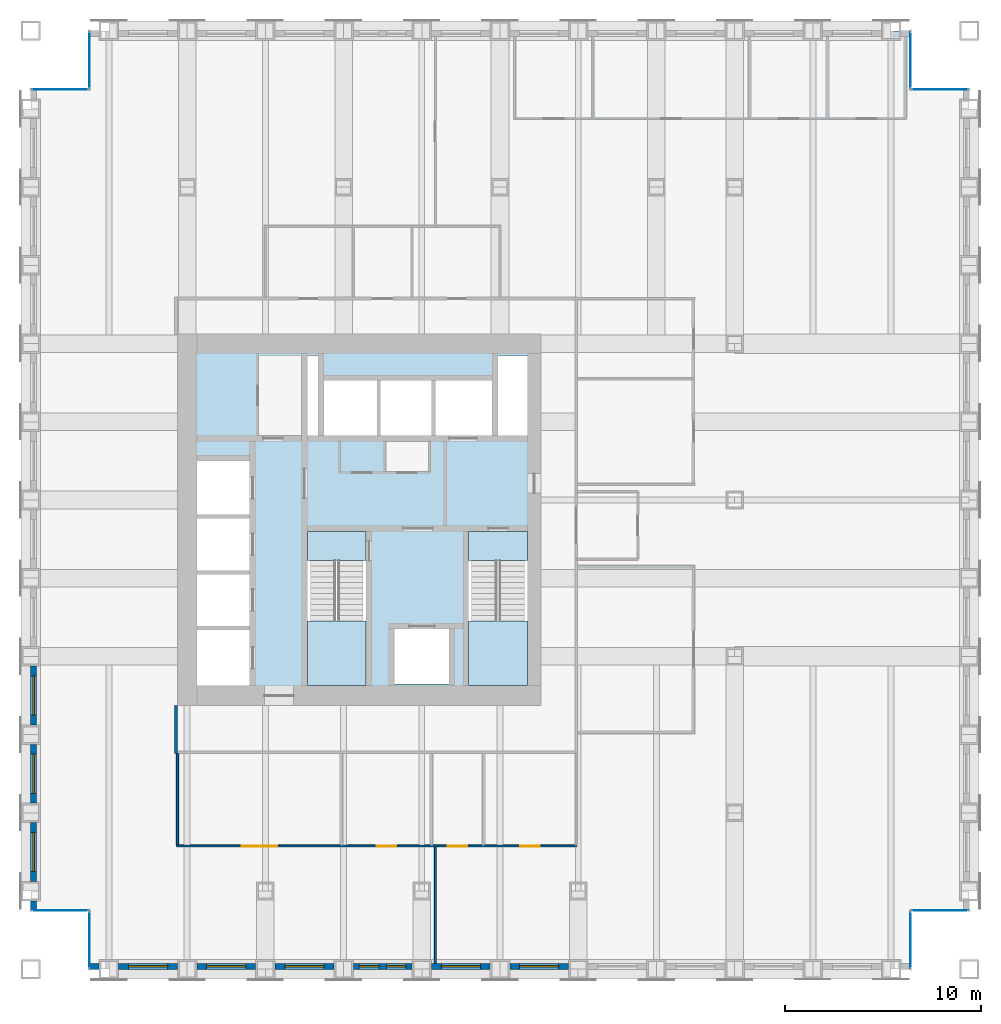
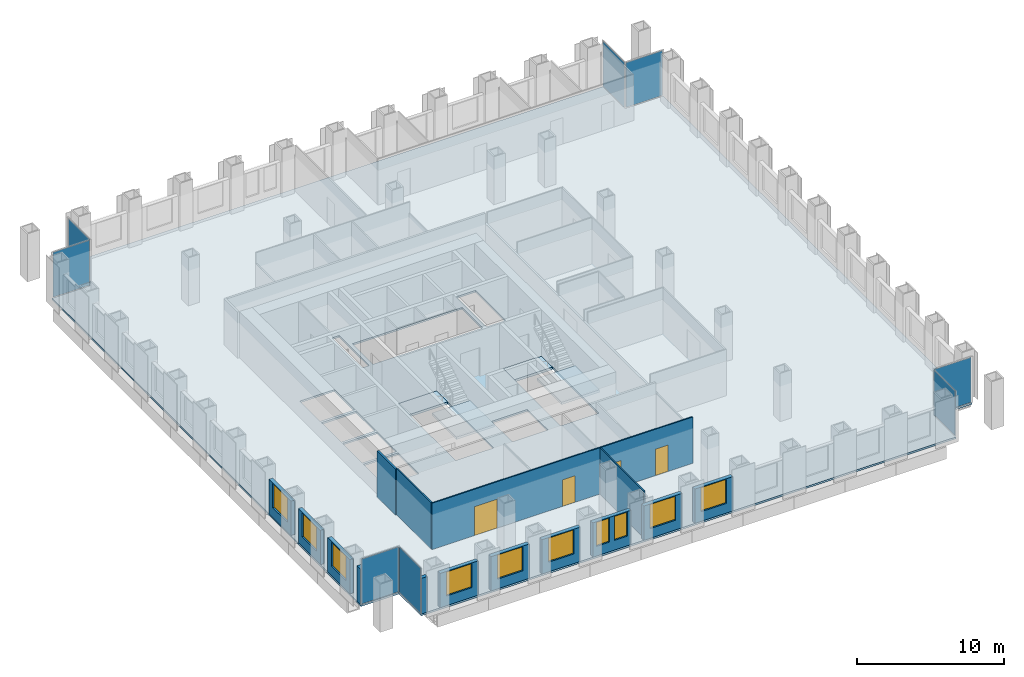
# One storey, part 10 of 15: 15 walls, 10 windows, 8 plates, 5 slabs, 4 doors, 14 openings, 10 elements without a shape of their own.
"""IFC4 building model written with IfcOpenShell, lengths in metres."""

import ifcopenshell
import ifcopenshell.guid

model = None  # the IFC model being written
_history = None  # IfcOwnerHistory: only IFC2X3 demands one
_inside = {}  # id of a spatial element -> (the spatial element, [elements in it])
_under = {}  # id of a project, library or spatial element -> (it, [spatial elements below it])
_declared = {}  # id of a project -> (the project, [libraries it declares])
_typed = {}  # id of a type object -> (the type object, [elements of that type])
_made_of = {}  # id of a material, layer set ... -> (it, [elements and type objects made of it])


def new_model(schema):
    """Start an empty IFC model of exactly this schema.

    Asked for "IFC4X3", IfcOpenShell would pick the latest addendum, in which some entities
    have other attributes; the version numbers below select the first issue.
    IFC2X3 requires an IfcOwnerHistory on every rooted entity: one is made here for all.
    """
    global model, _history
    if schema == "IFC4X3":
        model = ifcopenshell.file(schema_version=(4, 3, 0, 0))
    else:
        model = ifcopenshell.file(schema=schema)
    _inside.clear()
    _under.clear()
    _declared.clear()
    _typed.clear()
    _made_of.clear()
    _history = None
    if model.schema == "IFC2X3":
        org = make("IfcOrganization", Name="unknown")
        user = make(
            "IfcPersonAndOrganization",
            ThePerson=make("IfcPerson", FamilyName="unknown"),
            TheOrganization=org,
        )
        app = make(
            "IfcApplication",
            ApplicationDeveloper=org,
            Version="unknown",
            ApplicationFullName="unknown",
            ApplicationIdentifier="unknown",
        )
        _history = make(
            "IfcOwnerHistory",
            OwningUser=user,
            OwningApplication=app,
            ChangeAction="ADDED",
            CreationDate=0,
        )
    return model


def make(cls, **values):
    """One entity of the class cls with the attributes given. An attribute that is None is left unset."""
    return model.create_entity(
        cls, **{name: value for name, value in values.items() if value is not None}
    )


def rooted(cls, **values):
    """An entity with a GlobalId (a new one), such as an element, a storey or a relation."""
    return make(cls, GlobalId=ifcopenshell.guid.new(), OwnerHistory=_history, **values)


def si_unit(unit_type, name, prefix=None):
    """IfcSIUnit, for example si_unit("LENGTHUNIT", "METRE", prefix="MILLI")."""
    return make("IfcSIUnit", UnitType=unit_type, Prefix=prefix, Name=name)


def assignment(units):
    """IfcUnitAssignment: the units of a project."""
    return None if units is None else make("IfcUnitAssignment", Units=units)


def point(xyz):
    """IfcCartesianPoint."""
    return None if xyz is None else make("IfcCartesianPoint", Coordinates=xyz)


def direction(xyz):
    """IfcDirection."""
    return None if xyz is None else make("IfcDirection", DirectionRatios=xyz)


def frame(location, z_axis=None, x_axis=None):
    """IfcAxis2Placement3D, a coordinate frame: its origin and axes. An axis left out is left unset."""
    return make(
        "IfcAxis2Placement3D",
        Location=point(location),
        Axis=direction(z_axis),
        RefDirection=direction(x_axis),
    )


def frame_2d(location, x_axis=None):
    """IfcAxis2Placement2D, a coordinate frame in the plane: its origin and x axis."""
    return make(
        "IfcAxis2Placement2D", Location=point(location), RefDirection=direction(x_axis)
    )


def origin():
    """The frame at (0, 0, 0) with its axes left unset."""
    return frame((0.0, 0.0, 0.0))


def origin_2d():
    """The frame at (0, 0) in the plane with its x axis left unset."""
    return frame_2d((0.0, 0.0))


def place(relative_to, where):
    """IfcLocalPlacement: puts the frame where relative to a parent placement (None: the world)."""
    return make(
        "IfcLocalPlacement", PlacementRelTo=relative_to, RelativePlacement=where
    )


def context(
    kind, dimensions, precision=None, world=None, true_north=None, identifier=None
):
    """IfcGeometricRepresentationContext, for example the 3D "Model" context."""
    return make(
        "IfcGeometricRepresentationContext",
        ContextIdentifier=identifier,
        ContextType=kind,
        CoordinateSpaceDimension=dimensions,
        Precision=precision,
        WorldCoordinateSystem=world,
        TrueNorth=true_north,
    )


def subcontext(parent, identifier, kind, view, scale=None):
    """IfcGeometricRepresentationSubContext, for example "Body" below "Model"."""
    return make(
        "IfcGeometricRepresentationSubContext",
        ContextIdentifier=identifier,
        ContextType=kind,
        ParentContext=parent,
        TargetScale=scale,
        TargetView=view,
    )


def project(units=None, contexts=None):
    """IfcProject with its units and contexts."""
    return rooted(
        "IfcProject",
        Name="project",
        RepresentationContexts=contexts,
        UnitsInContext=assignment(units),
    )


def spatial(cls, under=None, at=None, **own):
    """A site, building, storey or space (cls), placed at a placement, below another one or the project."""
    s = rooted(cls, ObjectPlacement=at, **own)
    if under is not None:
        _under.setdefault(under.id(), (under, []))[1].append(s)
    return s


def polyline(points):
    """IfcPolyline through the points."""
    return make("IfcPolyline", Points=[point(p) for p in points])


def profile(cls, at=None, kind="AREA", **sizes):
    """A parametric profile (cls). Its sizes go by their IFC names, for example OverallWidth=200.0."""
    return make(cls, ProfileType=kind, Position=at, **sizes)


def rectangle(**sizes):
    """IfcRectangleProfileDef."""
    return profile("IfcRectangleProfileDef", **sizes)


def outline(outer, holes=None, kind="AREA"):
    """IfcArbitraryClosedProfileDef: a profile drawn as a closed curve; with holes, ...WithVoids."""
    if holes is None:
        return make("IfcArbitraryClosedProfileDef", ProfileType=kind, OuterCurve=outer)
    return make(
        "IfcArbitraryProfileDefWithVoids",
        ProfileType=kind,
        OuterCurve=outer,
        InnerCurves=holes,
    )


def extrude(swept, where, along, depth):
    """IfcExtrudedAreaSolid: the profile swept, set in the frame where, extruded along a direction by depth."""
    return make(
        "IfcExtrudedAreaSolid",
        SweptArea=swept,
        Position=where,
        ExtrudedDirection=direction(along),
        Depth=depth,
    )


def shape(context_of_items, identifier, shape_type, items):
    """IfcShapeRepresentation: the items that make up one representation, for example the "Body"."""
    return make(
        "IfcShapeRepresentation",
        ContextOfItems=context_of_items,
        RepresentationIdentifier=identifier,
        RepresentationType=shape_type,
        Items=items,
    )


def material(Name=None, Category=None):
    """IfcMaterial."""
    return make("IfcMaterial", Name=Name, Category=Category)


def layer(
    of_material, thickness, ventilated=None, Name=None, Category=None, Priority=None
):
    """IfcMaterialLayer: one layer of a wall or slab, of a material (None: an air gap)."""
    return make(
        "IfcMaterialLayer",
        Material=of_material,
        LayerThickness=thickness,
        IsVentilated=ventilated,
        Name=Name,
        Category=Category,
        Priority=Priority,
    )


def layer_set(layers, Name=None):
    """IfcMaterialLayerSet."""
    return make("IfcMaterialLayerSet", MaterialLayers=layers, LayerSetName=Name)


def made_of(thing, what):
    """Note that an element or type object is made of a material, layer set ...; save() writes the relation."""
    if what is not None:
        _made_of.setdefault(what.id(), (what, []))[1].append(thing)
    return thing


def type_object(cls, material=None, **own):
    """A type object (cls), such as IfcWallType, which elements share."""
    return made_of(rooted(cls, **own), material)


def element(
    cls,
    number,
    at=None,
    inside=None,
    cuts=None,
    type_object=None,
    material=None,
    context=None,
    identifier="Body",
    shape_type=None,
    held_by="IfcProductDefinitionShape",
    body=None,
    shapes=None,
    **own,
):
    """One element of the class cls, such as IfcWall. Its Tag is "e" and its number.

    at: its placement. inside: the storey or other place that contains it. cuts: it is an
    opening in that element (IfcRelVoidsElement). A single representation is given by context,
    identifier, shape_type and body (its items); several are given by shapes. held_by: the class
    of the entity that holds the representations. save() writes the other relations.
    """
    e = rooted(cls, Tag="e%d" % number, ObjectPlacement=at, **own)
    if body is not None:
        shapes = [shape(context, identifier, shape_type, body)]
    if shapes is not None:
        e.Representation = make(held_by, Representations=shapes)
    if inside is not None:
        _inside.setdefault(inside.id(), (inside, []))[1].append(e)
    if cuts is not None:
        rooted(
            "IfcRelVoidsElement", RelatingBuildingElement=cuts, RelatedOpeningElement=e
        )
    if type_object is not None:
        _typed.setdefault(type_object.id(), (type_object, []))[1].append(e)
    return made_of(e, material)


def fill(opening, filler):
    """IfcRelFillsElement: the door or window that sits in an opening."""
    return rooted(
        "IfcRelFillsElement",
        RelatingOpeningElement=opening,
        RelatedBuildingElement=filler,
    )


def aggregate(whole, parts):
    """IfcRelAggregates: a whole, such as a stair, and the parts it consists of."""
    return rooted("IfcRelAggregates", RelatingObject=whole, RelatedObjects=parts)


def save(model, path):
    """Write the relations noted so far, then the file.

    IfcRelAggregates (storeys below a building ...), IfcRelContainedInSpatialStructure (elements
    in a storey), IfcRelDefinesByType, IfcRelAssociatesMaterial and IfcRelDeclares: one each for
    every whole, place, type object, material and project.
    """
    for whole, parts in _under.values():
        aggregate(whole, parts)
    for where, things in _inside.values():
        rooted(
            "IfcRelContainedInSpatialStructure",
            RelatedElements=things,
            RelatingStructure=where,
        )
    for kind, things in _typed.values():
        rooted("IfcRelDefinesByType", RelatedObjects=things, RelatingType=kind)
    for what, things in _made_of.values():
        rooted("IfcRelAssociatesMaterial", RelatedObjects=things, RelatingMaterial=what)
    for by, libraries in _declared.values():
        rooted("IfcRelDeclares", RelatingContext=by, RelatedDefinitions=libraries)
    model.write(path)


model = new_model("IFC4")

# Units and contexts
model_context = context("Model", 3, precision=1e-05, world=origin(), true_north=direction((0.0, 1.0)))
body_context = subcontext(model_context, "Body", "Model", "MODEL_VIEW")
ifc_project = project(units=[si_unit("LENGTHUNIT", "METRE"), si_unit("AREAUNIT", "SQUARE_METRE"), si_unit("VOLUMEUNIT", "CUBIC_METRE"), si_unit("PLANEANGLEUNIT", "RADIAN"), si_unit("MASSUNIT", "GRAM", prefix="KILO")], contexts=[model_context])

# Site, building, storey
site_placement = place(None, origin())
site = spatial("IfcSite", under=ifc_project, at=site_placement, CompositionType="ELEMENT")
building_placement = place(site_placement, origin())
building = spatial("IfcBuilding", under=site, at=building_placement, Name="Rimbunsela Tower", CompositionType="ELEMENT")
storey_placement = place(building_placement, frame((0.0, 0.0, 117.39990234375)))
storey = spatial("IfcBuildingStorey", under=building, at=storey_placement, Name="L28", CompositionType="ELEMENT", Elevation=117.39990234375)

# Slab
ifc_material_1 = material(Name="Concrete fc' 35 MPa", Category="concrete")
ifc_layer_1 = layer(ifc_material_1, 0.14990234375)
ifc_layer_set_1 = layer_set([ifc_layer_1], Name="Floor slab 150")
slab_type_1 = type_object("IfcSlabType", Name="Floor slab 150", PredefinedType="FLOOR", material=ifc_layer_set_1)
slab_1_placement = place(storey_placement, frame((0.0, 0.0, -0.14990234375)))
element("IfcSlab", 1, at=slab_1_placement, inside=storey, type_object=slab_type_1, Name="Floor slab L28", PredefinedType="FLOOR", context=body_context, shape_type="SweptSolid", body=[
    extrude(outline(polyline([(13.0, 4.0), (55.0, 4.0), (55.0, 7.0), (58.0, 7.0), (58.0, 49.0), (55.0, 49.0), (55.0, 52.0), (13.0, 52.0), (13.0, 49.0), (10.0, 49.0), (10.0, 7.0), (13.0, 7.0), (13.0, 4.0)]), holes=[polyline([(21.199951171875, 21.35009765625), (18.5, 21.35009765625), (18.5, 18.5), (21.199951171875, 18.5), (21.199951171875, 21.35009765625)]), polyline([(21.199951171875, 21.550048828125), (21.199951171875, 24.199951171875), (18.5, 24.199951171875), (18.5, 21.550048828125), (21.199951171875, 21.550048828125)]), polyline([(21.199951171875, 27.050048828125), (18.5, 27.050048828125), (18.5, 24.39990234375), (21.199951171875, 24.39990234375), (21.199951171875, 27.050048828125)]), polyline([(21.199951171875, 27.25), (21.199951171875, 30.0), (18.5, 30.0), (18.5, 27.25), (21.199951171875, 27.25)]), polyline([(27.14990234375, 18.60009765625), (27.14990234375, 26.39990234375), (24.14990234375, 26.39990234375), (24.14990234375, 18.60009765625), (27.14990234375, 18.60009765625)]), polyline([(24.699951171875, 31.300048828125), (24.699951171875, 35.39990234375), (24.14990234375, 35.39990234375), (24.14990234375, 31.300048828125), (24.699951171875, 31.300048828125)]), polyline([(25.0, 34.10009765625), (25.0, 31.300048828125), (33.60009765625, 31.300048828125), (33.60009765625, 34.10009765625), (25.0, 34.10009765625)]), polyline([(31.39990234375, 21.39990234375), (28.60009765625, 21.39990234375), (28.60009765625, 18.60009765625), (31.39990234375, 18.60009765625), (31.39990234375, 21.39990234375)]), polyline([(35.39990234375, 18.60009765625), (35.39990234375, 26.39990234375), (32.39990234375, 26.39990234375), (32.39990234375, 18.60009765625), (35.39990234375, 18.60009765625)]), polyline([(35.39990234375, 31.300048828125), (35.39990234375, 35.39990234375), (33.89990234375, 35.39990234375), (33.89990234375, 31.300048828125), (35.39990234375, 31.300048828125)])]), origin(), (0.0, 0.0, 1.0), 0.14990234375),
])

# Curtain wall, plate
ifc_material_2 = material(Name="Aluminium curtain wall", Category="aluminium")
curtain_wall_type = type_object("IfcCurtainWallType", Name="Corner glazing", PredefinedType="USERDEFINED", material=ifc_material_2)
curtain_wall_1_placement = place(storey_placement, origin())
curtain_wall_1 = element("IfcCurtainWall", 2, at=curtain_wall_1_placement, inside=storey, type_object=curtain_wall_type, Name="Corner glazing L28", ObjectType="CORNER GLAZING", PredefinedType="USERDEFINED")
ifc_material_3 = material(Name="Clear double glazing", Category="glass")
ifc_layer_2 = layer(ifc_material_3, 0.028076171875)
ifc_layer_set_2 = layer_set([ifc_layer_2], Name="Glazed panel clear")
plate_type = type_object("IfcPlateType", Name="Glazed panel clear", PredefinedType="CURTAIN_PANEL", material=ifc_layer_set_2)
plate_1_placement = place(storey_placement, frame((55.0, 5.5, 0.06005859375), z_axis=(0.0, 0.0, 1.0), x_axis=(0.0, 1.0, 0.0)))
plate_1 = element("IfcPlate", 3, at=plate_1_placement, type_object=plate_type, Name="CW5 panel 1.1", PredefinedType="CURTAIN_PANEL", context=body_context, shape_type="SweptSolid", body=[
    extrude(rectangle(XDim=2.8798828125, YDim=0.028076171875, at=origin_2d()), origin(), (0.0, 0.0, 1.0), 3.72998046875),
])
aggregate(curtain_wall_1, [plate_1])

curtain_wall_2_placement = place(storey_placement, origin())
curtain_wall_2 = element("IfcCurtainWall", 4, at=curtain_wall_2_placement, inside=storey, type_object=curtain_wall_type, Name="Corner glazing L28", ObjectType="CORNER GLAZING", PredefinedType="USERDEFINED")
plate_2_placement = place(storey_placement, frame((56.5, 7.0, 0.06005859375), z_axis=(0.0, 0.0, 1.0), x_axis=(1.0, 0.0, 0.0)))
plate_2 = element("IfcPlate", 5, at=plate_2_placement, type_object=plate_type, Name="CW5 panel 1.1", PredefinedType="CURTAIN_PANEL", context=body_context, shape_type="SweptSolid", body=[
    extrude(rectangle(XDim=2.8798828125, YDim=0.028076171875, at=origin_2d()), origin(), (0.0, 0.0, 1.0), 3.72998046875),
])
aggregate(curtain_wall_2, [plate_2])

curtain_wall_3_placement = place(storey_placement, origin())
curtain_wall_3 = element("IfcCurtainWall", 6, at=curtain_wall_3_placement, inside=storey, type_object=curtain_wall_type, Name="Corner glazing L28", ObjectType="CORNER GLAZING", PredefinedType="USERDEFINED")
plate_3_placement = place(storey_placement, frame((56.5, 49.0, 0.06005859375), z_axis=(0.0, 0.0, 1.0), x_axis=(-1.0, 0.0, 0.0)))
plate_3 = element("IfcPlate", 7, at=plate_3_placement, type_object=plate_type, Name="CW5 panel 1.1", PredefinedType="CURTAIN_PANEL", context=body_context, shape_type="SweptSolid", body=[
    extrude(rectangle(XDim=2.8798828125, YDim=0.028076171875, at=origin_2d()), origin(), (0.0, 0.0, 1.0), 3.72998046875),
])
aggregate(curtain_wall_3, [plate_3])

curtain_wall_4_placement = place(storey_placement, origin())
curtain_wall_4 = element("IfcCurtainWall", 8, at=curtain_wall_4_placement, inside=storey, type_object=curtain_wall_type, Name="Corner glazing L28", ObjectType="CORNER GLAZING", PredefinedType="USERDEFINED")
plate_4_placement = place(storey_placement, frame((55.0, 50.5, 0.06005859375), z_axis=(0.0, 0.0, 1.0), x_axis=(0.0, 1.0, 0.0)))
plate_4 = element("IfcPlate", 9, at=plate_4_placement, type_object=plate_type, Name="CW5 panel 1.1", PredefinedType="CURTAIN_PANEL", context=body_context, shape_type="SweptSolid", body=[
    extrude(rectangle(XDim=2.8798828125, YDim=0.028076171875, at=origin_2d()), origin(), (0.0, 0.0, 1.0), 3.72998046875),
])
aggregate(curtain_wall_4, [plate_4])

curtain_wall_5_placement = place(storey_placement, origin())
curtain_wall_5 = element("IfcCurtainWall", 10, at=curtain_wall_5_placement, inside=storey, type_object=curtain_wall_type, Name="Corner glazing L28", ObjectType="CORNER GLAZING", PredefinedType="USERDEFINED")
plate_5_placement = place(storey_placement, frame((13.0, 50.5, 0.06005859375), z_axis=(0.0, 0.0, 1.0), x_axis=(0.0, -1.0, 0.0)))
plate_5 = element("IfcPlate", 11, at=plate_5_placement, type_object=plate_type, Name="CW5 panel 1.1", PredefinedType="CURTAIN_PANEL", context=body_context, shape_type="SweptSolid", body=[
    extrude(rectangle(XDim=2.8798828125, YDim=0.028076171875, at=origin_2d()), origin(), (0.0, 0.0, 1.0), 3.72998046875),
])
aggregate(curtain_wall_5, [plate_5])

curtain_wall_6_placement = place(storey_placement, origin())
curtain_wall_6 = element("IfcCurtainWall", 12, at=curtain_wall_6_placement, inside=storey, type_object=curtain_wall_type, Name="Corner glazing L28", ObjectType="CORNER GLAZING", PredefinedType="USERDEFINED")
plate_6_placement = place(storey_placement, frame((11.5, 49.0, 0.06005859375), z_axis=(0.0, 0.0, 1.0), x_axis=(-1.0, 0.0, 0.0)))
plate_6 = element("IfcPlate", 13, at=plate_6_placement, type_object=plate_type, Name="CW5 panel 1.1", PredefinedType="CURTAIN_PANEL", context=body_context, shape_type="SweptSolid", body=[
    extrude(rectangle(XDim=2.8798828125, YDim=0.028076171875, at=origin_2d()), origin(), (0.0, 0.0, 1.0), 3.72998046875),
])
aggregate(curtain_wall_6, [plate_6])

curtain_wall_7_placement = place(storey_placement, origin())
curtain_wall_7 = element("IfcCurtainWall", 14, at=curtain_wall_7_placement, inside=storey, type_object=curtain_wall_type, Name="Corner glazing L28", ObjectType="CORNER GLAZING", PredefinedType="USERDEFINED")
plate_7_placement = place(storey_placement, frame((11.5, 7.0, 0.06005859375), z_axis=(0.0, 0.0, 1.0), x_axis=(1.0, 0.0, 0.0)))
plate_7 = element("IfcPlate", 15, at=plate_7_placement, type_object=plate_type, Name="CW5 panel 1.1", PredefinedType="CURTAIN_PANEL", context=body_context, shape_type="SweptSolid", body=[
    extrude(rectangle(XDim=2.8798828125, YDim=0.028076171875, at=origin_2d()), origin(), (0.0, 0.0, 1.0), 3.72998046875),
])
aggregate(curtain_wall_7, [plate_7])

curtain_wall_8_placement = place(storey_placement, origin())
curtain_wall_8 = element("IfcCurtainWall", 16, at=curtain_wall_8_placement, inside=storey, type_object=curtain_wall_type, Name="Corner glazing L28", ObjectType="CORNER GLAZING", PredefinedType="USERDEFINED")
plate_8_placement = place(storey_placement, frame((13.0, 5.5, 0.06005859375), z_axis=(0.0, 0.0, 1.0), x_axis=(0.0, -1.0, 0.0)))
plate_8 = element("IfcPlate", 17, at=plate_8_placement, type_object=plate_type, Name="CW5 panel 1.1", PredefinedType="CURTAIN_PANEL", context=body_context, shape_type="SweptSolid", body=[
    extrude(rectangle(XDim=2.8798828125, YDim=0.028076171875, at=origin_2d()), origin(), (0.0, 0.0, 1.0), 3.72998046875),
])
aggregate(curtain_wall_8, [plate_8])

# Stair, slabs
ifc_material_4 = material(Name="Concrete fc' 35 MPa", Category="concrete")
stair_type = type_object("IfcStairType", Name="Exit stair 24 risers", PredefinedType="HALF_TURN_STAIR", material=ifc_material_4)
stair_1_placement = place(storey_placement, origin())
stair_1 = element("IfcStair", 18, at=stair_1_placement, inside=storey, type_object=stair_type, Name="Exit stair A L28", PredefinedType="HALF_TURN_STAIR")
ifc_material_5 = material(Name="Concrete fc' 35 MPa", Category="concrete")
ifc_layer_3 = layer(ifc_material_5, 0.199951171875)
ifc_layer_set_3 = layer_set([ifc_layer_3], Name="Stair landing 200")
slab_type_2 = type_object("IfcSlabType", Name="Stair landing 200", PredefinedType="LANDING", material=ifc_layer_set_3)
slab_2_placement = place(storey_placement, frame((0.0, 0.0, -0.199951171875)))
slab_2 = element("IfcSlab", 19, at=slab_2_placement, type_object=slab_type_2, Name="ST-A landing 1", PredefinedType="LANDING", context=body_context, shape_type="SweptSolid", body=[
    extrude(outline(polyline([(24.14990234375, 24.89990234375), (27.14990234375, 24.89990234375), (27.14990234375, 26.39990234375), (24.14990234375, 26.39990234375), (24.14990234375, 24.89990234375)])), origin(), (0.0, 0.0, 1.0), 0.199951171875),
])
slab_3_placement = place(storey_placement, frame((0.0, 0.0, 1.800048828125)))
slab_3 = element("IfcSlab", 20, at=slab_3_placement, type_object=slab_type_2, Name="ST-A landing 2", PredefinedType="LANDING", context=body_context, shape_type="SweptSolid", body=[
    extrude(outline(polyline([(24.14990234375, 18.5), (27.14990234375, 18.5), (27.14990234375, 21.820068359375), (24.14990234375, 21.820068359375), (24.14990234375, 18.5)])), origin(), (0.0, 0.0, 1.0), 0.199951171875),
])
aggregate(stair_1, [slab_2, slab_3])

stair_2_placement = place(storey_placement, origin())
stair_2 = element("IfcStair", 21, at=stair_2_placement, inside=storey, type_object=stair_type, Name="Exit stair B L28", PredefinedType="HALF_TURN_STAIR")
slab_4_placement = place(storey_placement, frame((0.0, 0.0, -0.199951171875)))
slab_4 = element("IfcSlab", 22, at=slab_4_placement, type_object=slab_type_2, Name="ST-B landing 1", PredefinedType="LANDING", context=body_context, shape_type="SweptSolid", body=[
    extrude(outline(polyline([(32.39990234375, 24.89990234375), (35.39990234375, 24.89990234375), (35.39990234375, 26.39990234375), (32.39990234375, 26.39990234375), (32.39990234375, 24.89990234375)])), origin(), (0.0, 0.0, 1.0), 0.199951171875),
])
slab_5_placement = place(storey_placement, frame((0.0, 0.0, 1.800048828125)))
slab_5 = element("IfcSlab", 23, at=slab_5_placement, type_object=slab_type_2, Name="ST-B landing 2", PredefinedType="LANDING", context=body_context, shape_type="SweptSolid", body=[
    extrude(outline(polyline([(32.39990234375, 18.5), (35.39990234375, 18.5), (35.39990234375, 21.820068359375), (32.39990234375, 21.820068359375), (32.39990234375, 18.5)])), origin(), (0.0, 0.0, 1.0), 0.199951171875),
])
aggregate(stair_2, [slab_4, slab_5])

# Wall, openings, doors
ifc_material_6 = material(Name="Gypsum board on steel studs", Category="steel")
ifc_layer_4 = layer(ifc_material_6, 0.10009765625)
ifc_layer_set_4 = layer_set([ifc_layer_4], Name="Office partition 100")
wall_type_1 = type_object("IfcWallType", Name="Office partition 100", PredefinedType="PARTITIONING", material=ifc_layer_set_4)
wall_1_placement = place(storey_placement, frame((17.449951171875, 10.300048828125, 0.0), z_axis=(0.0, 0.0, 1.0), x_axis=(1.0, 0.0, 0.0)))
wall_1 = element("IfcWall", 24, at=wall_1_placement, inside=storey, type_object=wall_type_1, Name="Office partition", PredefinedType="PARTITIONING", context=body_context, shape_type="SweptSolid", body=[
    extrude(rectangle(XDim=20.5, YDim=0.10009765625, at=frame_2d((10.25, 0.0))), origin(), (0.0, 0.0, 1.0), 3.85009765625),
])
opening_1_placement = place(wall_1_placement, frame((3.35009765625, 0.0, 0.0)))
opening_1 = element("IfcOpeningElement", 25, at=opening_1_placement, cuts=wall_1, Name="Opening D18", PredefinedType="OPENING", context=body_context, shape_type="SweptSolid", body=[
    extrude(rectangle(XDim=1.800048828125, YDim=2.39990234375, at=frame_2d((0.89990234375, 1.199951171875))), frame((0.0, 0.06005859375, 0.0), z_axis=(0.0, -1.0, 0.0), x_axis=(1.0, 0.0, 0.0)), (0.0, 0.0, 1.0), 0.1201171875),
])
opening_2_placement = place(wall_1_placement, frame((10.25, 0.0, 0.0)))
opening_2 = element("IfcOpeningElement", 26, at=opening_2_placement, cuts=wall_1, Name="Opening D16", PredefinedType="OPENING", context=body_context, shape_type="SweptSolid", body=[
    extrude(rectangle(XDim=1.0, YDim=2.199951171875, at=frame_2d((0.5, 1.10009765625))), frame((0.0, 0.06005859375, 0.0), z_axis=(0.0, -1.0, 0.0), x_axis=(1.0, 0.0, 0.0)), (0.0, 0.0, 1.0), 0.1201171875),
])
opening_3_placement = place(wall_1_placement, frame((13.875, 0.0, 0.0)))
opening_3 = element("IfcOpeningElement", 27, at=opening_3_placement, cuts=wall_1, Name="Opening D16", PredefinedType="OPENING", context=body_context, shape_type="SweptSolid", body=[
    extrude(rectangle(XDim=1.0, YDim=2.199951171875, at=frame_2d((0.5, 1.10009765625))), frame((0.0, 0.06005859375, 0.0), z_axis=(0.0, -1.0, 0.0), x_axis=(1.0, 0.0, 0.0)), (0.0, 0.0, 1.0), 0.1201171875),
])
opening_4_placement = place(wall_1_placement, frame((17.574951171875, 0.0, 0.0)))
opening_4 = element("IfcOpeningElement", 28, at=opening_4_placement, cuts=wall_1, Name="Opening D16", PredefinedType="OPENING", context=body_context, shape_type="SweptSolid", body=[
    extrude(rectangle(XDim=1.0, YDim=2.199951171875, at=frame_2d((0.5, 1.10009765625))), frame((0.0, 0.06005859375, 0.0), z_axis=(0.0, -1.0, 0.0), x_axis=(1.0, 0.0, 0.0)), (0.0, 0.0, 1.0), 0.1201171875),
])
ifc_material_7 = material(Name="Glazed aluminium door", Category="aluminium")
door_type_1 = type_object("IfcDoorType", Name="Boardroom door 1800 glazed", OperationType="DOUBLE_DOOR_DOUBLE_SWING", PredefinedType="DOOR", material=ifc_material_7)
door_1_placement = place(opening_1_placement, origin())
door_1 = element("IfcDoor", 29, at=door_1_placement, inside=storey, type_object=door_type_1, Name="Boardroom door", OperationType="DOUBLE_DOOR_DOUBLE_SWING", OverallHeight=2.39990234375, OverallWidth=1.800048828125, PredefinedType="DOOR", context=body_context, shape_type="SweptSolid", body=[
    extrude(rectangle(XDim=1.800048828125, YDim=2.39990234375, at=frame_2d((0.89990234375, 1.199951171875))), frame((0.0, 0.02490234375, 0.0), z_axis=(0.0, -1.0, 0.0), x_axis=(1.0, 0.0, 0.0)), (0.0, 0.0, 1.0), 0.050048828125),
])
fill(opening_1, door_1)
ifc_material_8 = material(Name="Timber door", Category="wood")
door_type_2 = type_object("IfcDoorType", Name="Office door 1000", OperationType="SINGLE_SWING_LEFT", PredefinedType="DOOR", material=ifc_material_8)
door_2_placement = place(opening_2_placement, origin())
door_2 = element("IfcDoor", 30, at=door_2_placement, inside=storey, type_object=door_type_2, Name="Office door", OperationType="SINGLE_SWING_LEFT", OverallHeight=2.199951171875, OverallWidth=1.0, PredefinedType="DOOR", context=body_context, shape_type="SweptSolid", body=[
    extrude(rectangle(XDim=1.0, YDim=2.199951171875, at=frame_2d((0.5, 1.10009765625))), frame((0.0, 0.02490234375, 0.0), z_axis=(0.0, -1.0, 0.0), x_axis=(1.0, 0.0, 0.0)), (0.0, 0.0, 1.0), 0.050048828125),
])
fill(opening_2, door_2)
door_3_placement = place(opening_3_placement, origin())
door_3 = element("IfcDoor", 31, at=door_3_placement, inside=storey, type_object=door_type_2, Name="Office door", OperationType="SINGLE_SWING_LEFT", OverallHeight=2.199951171875, OverallWidth=1.0, PredefinedType="DOOR", context=body_context, shape_type="SweptSolid", body=[
    extrude(rectangle(XDim=1.0, YDim=2.199951171875, at=frame_2d((0.5, 1.10009765625))), frame((0.0, 0.02490234375, 0.0), z_axis=(0.0, -1.0, 0.0), x_axis=(1.0, 0.0, 0.0)), (0.0, 0.0, 1.0), 0.050048828125),
])
fill(opening_3, door_3)
door_4_placement = place(opening_4_placement, origin())
door_4 = element("IfcDoor", 32, at=door_4_placement, inside=storey, type_object=door_type_2, Name="Office door", OperationType="SINGLE_SWING_LEFT", OverallHeight=2.199951171875, OverallWidth=1.0, PredefinedType="DOOR", context=body_context, shape_type="SweptSolid", body=[
    extrude(rectangle(XDim=1.0, YDim=2.199951171875, at=frame_2d((0.5, 1.10009765625))), frame((0.0, 0.02490234375, 0.0), z_axis=(0.0, -1.0, 0.0), x_axis=(1.0, 0.0, 0.0)), (0.0, 0.0, 1.0), 0.050048828125),
])
fill(opening_4, door_4)

# Walls
wall_2_placement = place(storey_placement, frame((17.5, 10.35009765625, 0.0), z_axis=(0.0, 0.0, 1.0), x_axis=(0.0, 1.0, 0.0)))
element("IfcWall", 33, at=wall_2_placement, inside=storey, type_object=wall_type_1, Name="Office partition", PredefinedType="PARTITIONING", context=body_context, shape_type="SweptSolid", body=[
    extrude(rectangle(XDim=4.6748046875, YDim=0.10009765625, at=frame_2d((2.33740234375, 0.0))), origin(), (0.0, 0.0, 1.0), 3.85009765625),
])
wall_3_placement = place(storey_placement, frame((30.699951171875, 4.300048828125, 0.0), z_axis=(0.0, 0.0, 1.0), x_axis=(0.0, 1.0, 0.0)))
element("IfcWall", 34, at=wall_3_placement, inside=storey, type_object=wall_type_1, Name="Office partition", PredefinedType="PARTITIONING", context=body_context, shape_type="SweptSolid", body=[
    extrude(rectangle(XDim=5.949951171875, YDim=0.10009765625, at=frame_2d((2.97509765625, 0.0))), origin(), (0.0, 0.0, 1.0), 3.85009765625),
])
ifc_material_9 = material(Name="Precast concrete fc' 35 MPa", Category="concrete")
ifc_layer_5 = layer(ifc_material_9, 0.300048828125)
ifc_layer_set_5 = layer_set([ifc_layer_5], Name="Precast concrete fc' 35 MPa")
wall_type_2 = type_object("IfcWallType", Name="Precast facade panel 300", PredefinedType="ELEMENTEDWALL", material=ifc_layer_set_5)
wall_4_placement = place(storey_placement, frame((13.030029296875, 4.14990234375, 0.0), z_axis=(0.0, 0.0, 1.0), x_axis=(1.0, 0.0, 0.0)))
element("IfcWall", 35, at=wall_4_placement, inside=storey, type_object=wall_type_2, Name="Facade panel S L28", PredefinedType="ELEMENTEDWALL", context=body_context, shape_type="SweptSolid", body=[
    extrude(rectangle(XDim=0.469970703125, YDim=0.300048828125, at=frame_2d((0.23486328125, 0.0))), origin(), (0.0, 0.0, 1.0), 2.9501953125),
])

# Wall, opening, window
wall_5_placement = place(storey_placement, frame((14.5, 4.14990234375, 0.0), z_axis=(0.0, 0.0, 1.0), x_axis=(1.0, 0.0, 0.0)))
wall_5 = element("IfcWall", 36, at=wall_5_placement, inside=storey, type_object=wall_type_2, Name="Facade panel S L28", PredefinedType="ELEMENTEDWALL", context=body_context, shape_type="SweptSolid", body=[
    extrude(rectangle(XDim=3.0, YDim=0.300048828125, at=frame_2d((1.5, 0.0))), origin(), (0.0, 0.0, 1.0), 2.85009765625),
])
opening_5_placement = place(wall_5_placement, frame((0.5, 0.0, 0.800048828125)))
opening_5 = element("IfcOpeningElement", 37, at=opening_5_placement, cuts=wall_5, Name="Opening W1", PredefinedType="OPENING", context=body_context, shape_type="SweptSolid", body=[
    extrude(rectangle(XDim=2.0, YDim=2.0, at=frame_2d((1.0, 1.0))), frame((0.0, 0.159912109375, 0.0), z_axis=(0.0, -1.0, 0.0), x_axis=(1.0, 0.0, 0.0)), (0.0, 0.0, 1.0), 0.320068359375),
])
ifc_material_10 = material(Name="Clear glass in aluminium frame", Category="aluminium")
window_type_1 = type_object("IfcWindowType", Name="Window W1 2000x2000", PartitioningType="DOUBLE_PANEL_VERTICAL", PredefinedType="WINDOW", material=ifc_material_10)
window_1_placement = place(opening_5_placement, origin())
window_1 = element("IfcWindow", 38, at=window_1_placement, inside=storey, type_object=window_type_1, Name="Window L28", OverallHeight=2.0, OverallWidth=2.0, PartitioningType="SINGLE_PANEL", PredefinedType="WINDOW", context=body_context, shape_type="SweptSolid", body=[
    extrude(rectangle(XDim=2.0, YDim=2.0, at=frame_2d((1.0, 1.0))), frame((0.0, 0.030029296875, 0.0), z_axis=(0.0, -1.0, 0.0), x_axis=(1.0, 0.0, 0.0)), (0.0, 0.0, 1.0), 0.06005859375),
])
fill(opening_5, window_1)

wall_6_placement = place(storey_placement, frame((18.5, 4.14990234375, 0.0), z_axis=(0.0, 0.0, 1.0), x_axis=(1.0, 0.0, 0.0)))
wall_6 = element("IfcWall", 39, at=wall_6_placement, inside=storey, type_object=wall_type_2, Name="Facade panel S L28", PredefinedType="ELEMENTEDWALL", context=body_context, shape_type="SweptSolid", body=[
    extrude(rectangle(XDim=3.0, YDim=0.300048828125, at=frame_2d((1.5, 0.0))), origin(), (0.0, 0.0, 1.0), 2.85009765625),
])
opening_6_placement = place(wall_6_placement, frame((0.5, 0.0, 0.800048828125)))
opening_6 = element("IfcOpeningElement", 40, at=opening_6_placement, cuts=wall_6, Name="Opening W1", PredefinedType="OPENING", context=body_context, shape_type="SweptSolid", body=[
    extrude(rectangle(XDim=2.0, YDim=2.0, at=frame_2d((1.0, 1.0))), frame((0.0, 0.159912109375, 0.0), z_axis=(0.0, -1.0, 0.0), x_axis=(1.0, 0.0, 0.0)), (0.0, 0.0, 1.0), 0.320068359375),
])
window_2_placement = place(opening_6_placement, origin())
window_2 = element("IfcWindow", 41, at=window_2_placement, inside=storey, type_object=window_type_1, Name="Window L28", OverallHeight=2.0, OverallWidth=2.0, PartitioningType="SINGLE_PANEL", PredefinedType="WINDOW", context=body_context, shape_type="SweptSolid", body=[
    extrude(rectangle(XDim=2.0, YDim=2.0, at=frame_2d((1.0, 1.0))), frame((0.0, 0.030029296875, 0.0), z_axis=(0.0, -1.0, 0.0), x_axis=(1.0, 0.0, 0.0)), (0.0, 0.0, 1.0), 0.06005859375),
])
fill(opening_6, window_2)

wall_7_placement = place(storey_placement, frame((22.5, 4.14990234375, 0.0), z_axis=(0.0, 0.0, 1.0), x_axis=(1.0, 0.0, 0.0)))
wall_7 = element("IfcWall", 42, at=wall_7_placement, inside=storey, type_object=wall_type_2, Name="Facade panel S L28", PredefinedType="ELEMENTEDWALL", context=body_context, shape_type="SweptSolid", body=[
    extrude(rectangle(XDim=3.0, YDim=0.300048828125, at=frame_2d((1.5, 0.0))), origin(), (0.0, 0.0, 1.0), 2.85009765625),
])
opening_7_placement = place(wall_7_placement, frame((0.5, 0.0, 0.800048828125)))
opening_7 = element("IfcOpeningElement", 43, at=opening_7_placement, cuts=wall_7, Name="Opening W1", PredefinedType="OPENING", context=body_context, shape_type="SweptSolid", body=[
    extrude(rectangle(XDim=2.0, YDim=2.0, at=frame_2d((1.0, 1.0))), frame((0.0, 0.159912109375, 0.0), z_axis=(0.0, -1.0, 0.0), x_axis=(1.0, 0.0, 0.0)), (0.0, 0.0, 1.0), 0.320068359375),
])
window_3_placement = place(opening_7_placement, origin())
window_3 = element("IfcWindow", 44, at=window_3_placement, inside=storey, type_object=window_type_1, Name="Window L28", OverallHeight=2.0, OverallWidth=2.0, PartitioningType="SINGLE_PANEL", PredefinedType="WINDOW", context=body_context, shape_type="SweptSolid", body=[
    extrude(rectangle(XDim=2.0, YDim=2.0, at=frame_2d((1.0, 1.0))), frame((0.0, 0.030029296875, 0.0), z_axis=(0.0, -1.0, 0.0), x_axis=(1.0, 0.0, 0.0)), (0.0, 0.0, 1.0), 0.06005859375),
])
fill(opening_7, window_3)

# Wall, openings, windows
wall_8_placement = place(storey_placement, frame((26.5, 4.14990234375, 0.0), z_axis=(0.0, 0.0, 1.0), x_axis=(1.0, 0.0, 0.0)))
wall_8 = element("IfcWall", 45, at=wall_8_placement, inside=storey, type_object=wall_type_2, Name="Facade panel S L28", PredefinedType="ELEMENTEDWALL", context=body_context, shape_type="SweptSolid", body=[
    extrude(rectangle(XDim=3.0, YDim=0.300048828125, at=frame_2d((1.5, 0.0))), origin(), (0.0, 0.0, 1.0), 2.85009765625),
])
opening_8_placement = place(wall_8_placement, frame((0.300048828125, 0.0, 0.800048828125)))
opening_8 = element("IfcOpeningElement", 46, at=opening_8_placement, cuts=wall_8, Name="Opening W5", PredefinedType="OPENING", context=body_context, shape_type="SweptSolid", body=[
    extrude(rectangle(XDim=1.0, YDim=2.0, at=frame_2d((0.5, 1.0))), frame((0.0, 0.159912109375, 0.0), z_axis=(0.0, -1.0, 0.0), x_axis=(1.0, 0.0, 0.0)), (0.0, 0.0, 1.0), 0.320068359375),
])
opening_9_placement = place(wall_8_placement, frame((1.699951171875, 0.0, 0.800048828125)))
opening_9 = element("IfcOpeningElement", 47, at=opening_9_placement, cuts=wall_8, Name="Opening W5", PredefinedType="OPENING", context=body_context, shape_type="SweptSolid", body=[
    extrude(rectangle(XDim=1.0, YDim=2.0, at=frame_2d((0.5, 1.0))), frame((0.0, 0.159912109375, 0.0), z_axis=(0.0, -1.0, 0.0), x_axis=(1.0, 0.0, 0.0)), (0.0, 0.0, 1.0), 0.320068359375),
])
ifc_material_11 = material(Name="Clear glass in aluminium frame", Category="aluminium")
window_type_2 = type_object("IfcWindowType", Name="Window W5 1000x2000", PartitioningType="SINGLE_PANEL", PredefinedType="WINDOW", material=ifc_material_11)
window_4_placement = place(opening_8_placement, origin())
window_4 = element("IfcWindow", 48, at=window_4_placement, inside=storey, type_object=window_type_2, Name="Window L28", OverallHeight=2.0, OverallWidth=1.0, PartitioningType="SINGLE_PANEL", PredefinedType="WINDOW", context=body_context, shape_type="SweptSolid", body=[
    extrude(rectangle(XDim=1.0, YDim=2.0, at=frame_2d((0.5, 1.0))), frame((0.0, 0.030029296875, 0.0), z_axis=(0.0, -1.0, 0.0), x_axis=(1.0, 0.0, 0.0)), (0.0, 0.0, 1.0), 0.06005859375),
])
fill(opening_8, window_4)
window_5_placement = place(opening_9_placement, origin())
window_5 = element("IfcWindow", 49, at=window_5_placement, inside=storey, type_object=window_type_2, Name="Window L28", OverallHeight=2.0, OverallWidth=1.0, PartitioningType="SINGLE_PANEL", PredefinedType="WINDOW", context=body_context, shape_type="SweptSolid", body=[
    extrude(rectangle(XDim=1.0, YDim=2.0, at=frame_2d((0.5, 1.0))), frame((0.0, 0.030029296875, 0.0), z_axis=(0.0, -1.0, 0.0), x_axis=(1.0, 0.0, 0.0)), (0.0, 0.0, 1.0), 0.06005859375),
])
fill(opening_9, window_5)

# Wall, opening, window
wall_9_placement = place(storey_placement, frame((30.5, 4.14990234375, 0.0), z_axis=(0.0, 0.0, 1.0), x_axis=(1.0, 0.0, 0.0)))
wall_9 = element("IfcWall", 50, at=wall_9_placement, inside=storey, type_object=wall_type_2, Name="Facade panel S L28", PredefinedType="ELEMENTEDWALL", context=body_context, shape_type="SweptSolid", body=[
    extrude(rectangle(XDim=3.0, YDim=0.300048828125, at=frame_2d((1.5, 0.0))), origin(), (0.0, 0.0, 1.0), 2.85009765625),
])
opening_10_placement = place(wall_9_placement, frame((0.5, 0.0, 0.800048828125)))
opening_10 = element("IfcOpeningElement", 51, at=opening_10_placement, cuts=wall_9, Name="Opening W1", PredefinedType="OPENING", context=body_context, shape_type="SweptSolid", body=[
    extrude(rectangle(XDim=2.0, YDim=2.0, at=frame_2d((1.0, 1.0))), frame((0.0, 0.159912109375, 0.0), z_axis=(0.0, -1.0, 0.0), x_axis=(1.0, 0.0, 0.0)), (0.0, 0.0, 1.0), 0.320068359375),
])
window_6_placement = place(opening_10_placement, origin())
window_6 = element("IfcWindow", 52, at=window_6_placement, inside=storey, type_object=window_type_1, Name="Window L28", OverallHeight=2.0, OverallWidth=2.0, PartitioningType="SINGLE_PANEL", PredefinedType="WINDOW", context=body_context, shape_type="SweptSolid", body=[
    extrude(rectangle(XDim=2.0, YDim=2.0, at=frame_2d((1.0, 1.0))), frame((0.0, 0.030029296875, 0.0), z_axis=(0.0, -1.0, 0.0), x_axis=(1.0, 0.0, 0.0)), (0.0, 0.0, 1.0), 0.06005859375),
])
fill(opening_10, window_6)

wall_10_placement = place(storey_placement, frame((34.5, 4.14990234375, 0.0), z_axis=(0.0, 0.0, 1.0), x_axis=(1.0, 0.0, 0.0)))
wall_10 = element("IfcWall", 53, at=wall_10_placement, inside=storey, type_object=wall_type_2, Name="Facade panel S L28", PredefinedType="ELEMENTEDWALL", context=body_context, shape_type="SweptSolid", body=[
    extrude(rectangle(XDim=3.0, YDim=0.300048828125, at=frame_2d((1.5, 0.0))), origin(), (0.0, 0.0, 1.0), 2.85009765625),
])
opening_11_placement = place(wall_10_placement, frame((0.5, 0.0, 0.800048828125)))
opening_11 = element("IfcOpeningElement", 54, at=opening_11_placement, cuts=wall_10, Name="Opening W1", PredefinedType="OPENING", context=body_context, shape_type="SweptSolid", body=[
    extrude(rectangle(XDim=2.0, YDim=2.0, at=frame_2d((1.0, 1.0))), frame((0.0, 0.159912109375, 0.0), z_axis=(0.0, -1.0, 0.0), x_axis=(1.0, 0.0, 0.0)), (0.0, 0.0, 1.0), 0.320068359375),
])
window_7_placement = place(opening_11_placement, origin())
window_7 = element("IfcWindow", 55, at=window_7_placement, inside=storey, type_object=window_type_1, Name="Window L28", OverallHeight=2.0, OverallWidth=2.0, PartitioningType="SINGLE_PANEL", PredefinedType="WINDOW", context=body_context, shape_type="SweptSolid", body=[
    extrude(rectangle(XDim=2.0, YDim=2.0, at=frame_2d((1.0, 1.0))), frame((0.0, 0.030029296875, 0.0), z_axis=(0.0, -1.0, 0.0), x_axis=(1.0, 0.0, 0.0)), (0.0, 0.0, 1.0), 0.06005859375),
])
fill(opening_11, window_7)

# Wall
wall_11_placement = place(storey_placement, frame((10.14990234375, 7.5, 0.0), z_axis=(0.0, 0.0, 1.0), x_axis=(0.0, -1.0, 0.0)))
element("IfcWall", 56, at=wall_11_placement, inside=storey, type_object=wall_type_2, Name="Facade panel W L28", PredefinedType="ELEMENTEDWALL", context=body_context, shape_type="SweptSolid", body=[
    extrude(rectangle(XDim=0.469970703125, YDim=0.300048828125, at=frame_2d((0.23486328125, 0.0))), origin(), (0.0, 0.0, 1.0), 2.9501953125),
])

# Wall, opening, window
wall_12_placement = place(storey_placement, frame((10.14990234375, 11.5, 0.0), z_axis=(0.0, 0.0, 1.0), x_axis=(0.0, -1.0, 0.0)))
wall_12 = element("IfcWall", 57, at=wall_12_placement, inside=storey, type_object=wall_type_2, Name="Facade panel W L28", PredefinedType="ELEMENTEDWALL", context=body_context, shape_type="SweptSolid", body=[
    extrude(rectangle(XDim=3.0, YDim=0.300048828125, at=frame_2d((1.5, 0.0))), origin(), (0.0, 0.0, 1.0), 2.85009765625),
])
opening_12_placement = place(wall_12_placement, frame((0.5, 0.0, 0.800048828125)))
opening_12 = element("IfcOpeningElement", 58, at=opening_12_placement, cuts=wall_12, Name="Opening W1", PredefinedType="OPENING", context=body_context, shape_type="SweptSolid", body=[
    extrude(rectangle(XDim=2.0, YDim=2.0, at=frame_2d((1.0, 1.0))), frame((0.0, 0.159912109375, 0.0), z_axis=(0.0, -1.0, 0.0), x_axis=(1.0, 0.0, 0.0)), (0.0, 0.0, 1.0), 0.320068359375),
])
window_8_placement = place(opening_12_placement, origin())
window_8 = element("IfcWindow", 59, at=window_8_placement, inside=storey, type_object=window_type_1, Name="Window L28", OverallHeight=2.0, OverallWidth=2.0, PartitioningType="SINGLE_PANEL", PredefinedType="WINDOW", context=body_context, shape_type="SweptSolid", body=[
    extrude(rectangle(XDim=2.0, YDim=2.0, at=frame_2d((1.0, 1.0))), frame((0.0, 0.030029296875, 0.0), z_axis=(0.0, -1.0, 0.0), x_axis=(1.0, 0.0, 0.0)), (0.0, 0.0, 1.0), 0.06005859375),
])
fill(opening_12, window_8)

wall_13_placement = place(storey_placement, frame((10.14990234375, 15.5, 0.0), z_axis=(0.0, 0.0, 1.0), x_axis=(0.0, -1.0, 0.0)))
wall_13 = element("IfcWall", 60, at=wall_13_placement, inside=storey, type_object=wall_type_2, Name="Facade panel W L28", PredefinedType="ELEMENTEDWALL", context=body_context, shape_type="SweptSolid", body=[
    extrude(rectangle(XDim=3.0, YDim=0.300048828125, at=frame_2d((1.5, 0.0))), origin(), (0.0, 0.0, 1.0), 2.85009765625),
])
opening_13_placement = place(wall_13_placement, frame((0.5, 0.0, 0.800048828125)))
opening_13 = element("IfcOpeningElement", 61, at=opening_13_placement, cuts=wall_13, Name="Opening W1", PredefinedType="OPENING", context=body_context, shape_type="SweptSolid", body=[
    extrude(rectangle(XDim=2.0, YDim=2.0, at=frame_2d((1.0, 1.0))), frame((0.0, 0.159912109375, 0.0), z_axis=(0.0, -1.0, 0.0), x_axis=(1.0, 0.0, 0.0)), (0.0, 0.0, 1.0), 0.320068359375),
])
window_9_placement = place(opening_13_placement, origin())
window_9 = element("IfcWindow", 62, at=window_9_placement, inside=storey, type_object=window_type_1, Name="Window L28", OverallHeight=2.0, OverallWidth=2.0, PartitioningType="SINGLE_PANEL", PredefinedType="WINDOW", context=body_context, shape_type="SweptSolid", body=[
    extrude(rectangle(XDim=2.0, YDim=2.0, at=frame_2d((1.0, 1.0))), frame((0.0, 0.030029296875, 0.0), z_axis=(0.0, -1.0, 0.0), x_axis=(1.0, 0.0, 0.0)), (0.0, 0.0, 1.0), 0.06005859375),
])
fill(opening_13, window_9)

wall_14_placement = place(storey_placement, frame((10.14990234375, 19.5, 0.0), z_axis=(0.0, 0.0, 1.0), x_axis=(0.0, -1.0, 0.0)))
wall_14 = element("IfcWall", 63, at=wall_14_placement, inside=storey, type_object=wall_type_2, Name="Facade panel W L28", PredefinedType="ELEMENTEDWALL", context=body_context, shape_type="SweptSolid", body=[
    extrude(rectangle(XDim=3.0, YDim=0.300048828125, at=frame_2d((1.5, 0.0))), origin(), (0.0, 0.0, 1.0), 2.85009765625),
])
opening_14_placement = place(wall_14_placement, frame((0.5, 0.0, 0.800048828125)))
opening_14 = element("IfcOpeningElement", 64, at=opening_14_placement, cuts=wall_14, Name="Opening W1", PredefinedType="OPENING", context=body_context, shape_type="SweptSolid", body=[
    extrude(rectangle(XDim=2.0, YDim=2.0, at=frame_2d((1.0, 1.0))), frame((0.0, 0.159912109375, 0.0), z_axis=(0.0, -1.0, 0.0), x_axis=(1.0, 0.0, 0.0)), (0.0, 0.0, 1.0), 0.320068359375),
])
window_10_placement = place(opening_14_placement, origin())
window_10 = element("IfcWindow", 65, at=window_10_placement, inside=storey, type_object=window_type_1, Name="Window L28", OverallHeight=2.0, OverallWidth=2.0, PartitioningType="SINGLE_PANEL", PredefinedType="WINDOW", context=body_context, shape_type="SweptSolid", body=[
    extrude(rectangle(XDim=2.0, YDim=2.0, at=frame_2d((1.0, 1.0))), frame((0.0, 0.030029296875, 0.0), z_axis=(0.0, -1.0, 0.0), x_axis=(1.0, 0.0, 0.0)), (0.0, 0.0, 1.0), 0.06005859375),
])
fill(opening_14, window_10)

# Wall
ifc_material_12 = material(Name="Fire-rated gypsum board on steel studs, EI 60", Category="steel")
ifc_layer_6 = layer(ifc_material_12, 0.14990234375)
ifc_layer_set_6 = layer_set([ifc_layer_6], Name="Rated corridor wall 150")
wall_type_3 = type_object("IfcWallType", Name="Rated corridor wall 150", PredefinedType="PARTITIONING", material=ifc_layer_set_6)
wall_15_placement = place(storey_placement, frame((17.425048828125, 15.02490234375, 0.0), z_axis=(0.0, 0.0, 1.0), x_axis=(0.0, 1.0, 0.0)))
element("IfcWall", 66, at=wall_15_placement, inside=storey, type_object=wall_type_3, Name="Corridor end wall south", PredefinedType="PARTITIONING", context=body_context, shape_type="SweptSolid", body=[
    extrude(rectangle(XDim=2.47509765625, YDim=0.14990234375, at=frame_2d((1.237548828125, 0.0))), origin(), (0.0, 0.0, 1.0), 3.85009765625),
])

save(model, "model.ifc")
